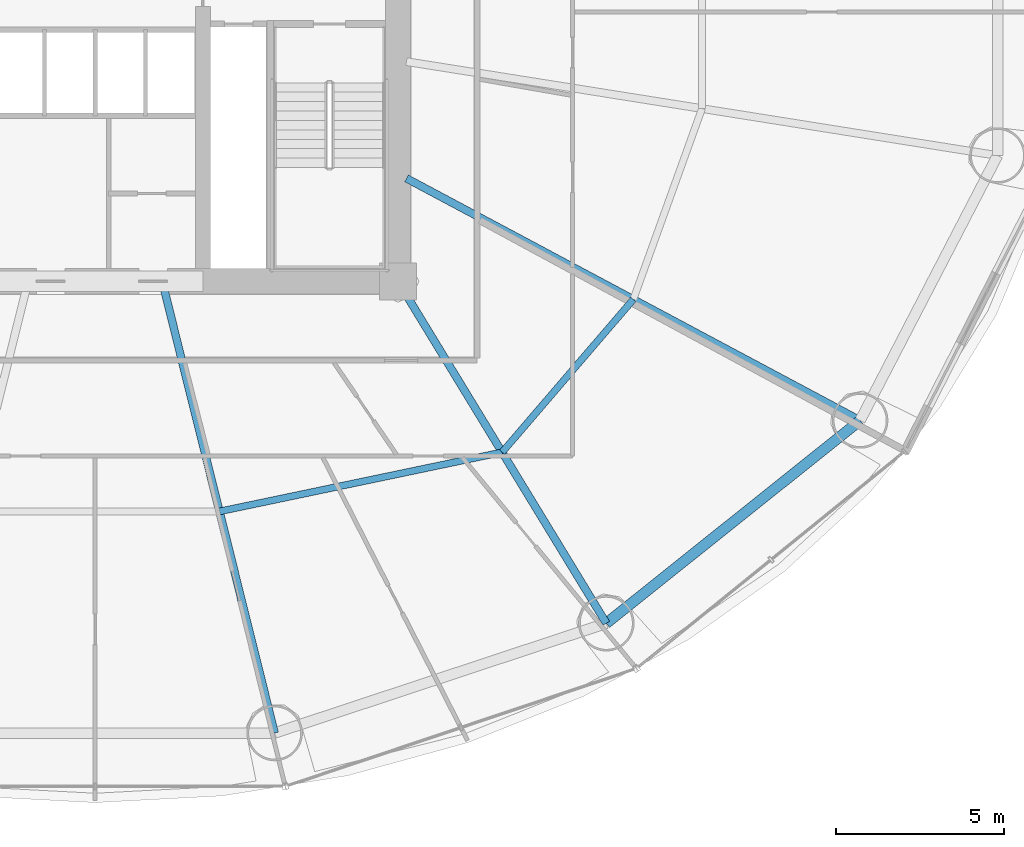
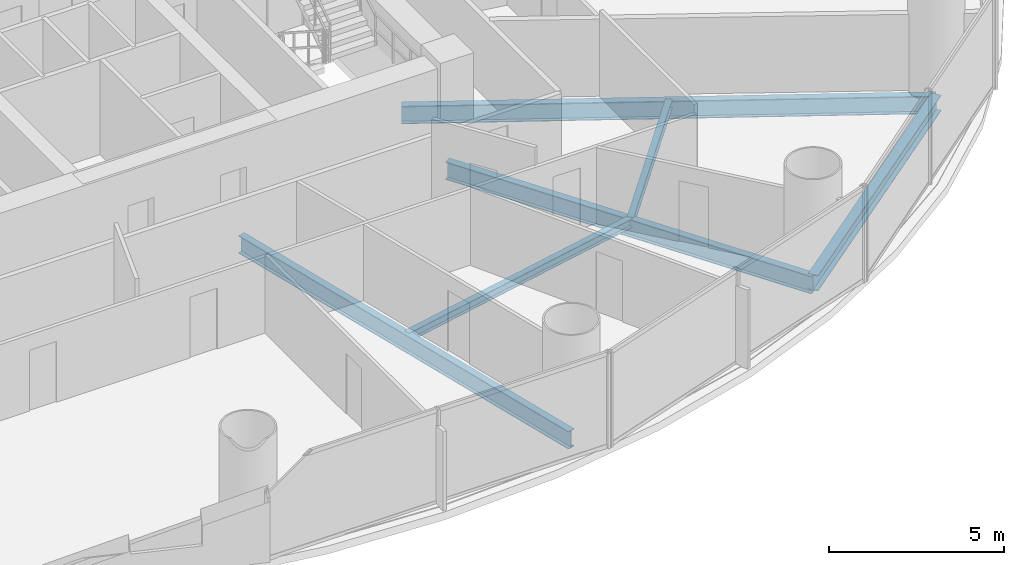
# One storey, part 11 of 29: 6 beams.
"""IFC4 building model written with IfcOpenShell, lengths in metres."""

from ifc_helpers import new_model, si_unit, direction, frame, origin, origin_2d, place, context, subcontext, project, spatial, i_section, extrude, material, material_profile, profile_set, type_object, element, save


model = new_model("IFC4")

# Units and contexts
model_context = context("Model", 3, precision=1e-05, world=origin(), true_north=direction((-0.2419218956, 0.970295726276)))
body_context = subcontext(model_context, "Body", "Model", "MODEL_VIEW")
ifc_project = project(units=[si_unit("LENGTHUNIT", "METRE"), si_unit("AREAUNIT", "SQUARE_METRE"), si_unit("VOLUMEUNIT", "CUBIC_METRE"), si_unit("PLANEANGLEUNIT", "RADIAN"), si_unit("MASSUNIT", "GRAM", prefix="KILO")], contexts=[model_context])

# Site, building, storey
site_placement = place(None, origin())
site = spatial("IfcSite", under=ifc_project, at=site_placement, CompositionType="ELEMENT")
building_placement = place(site_placement, origin())
building = spatial("IfcBuilding", under=site, at=building_placement, Name="Cobrevalo Terracotta Tower", CompositionType="ELEMENT")
storey_placement = place(building_placement, frame((0.0, 0.0, 45.60009765625)))
storey = spatial("IfcBuildingStorey", under=building, at=storey_placement, Name="L11", CompositionType="ELEMENT", Elevation=45.60009765625)

# Beams
ifc_material = material(Name="Steel S355", Category="steel")
ifc_material_profile_1 = material_profile(ifc_material, i_section(OverallWidth=0.22998046875, OverallDepth=0.616943359375, WebThickness=0.01318359375, FlangeThickness=0.022216796875, at=origin_2d()), Name="W 610x140")
ifc_profile_set_1 = profile_set([ifc_material_profile_1], Name="Steel S355")
beam_type_1 = type_object("IfcBeamType", Name="Structural Beam W 610x140 (Steel S355)", PredefinedType="BEAM", material=ifc_profile_set_1)
beam_1_placement = place(storey_placement, frame((43.335693359375, 5.369873046875, -0.588623046875), z_axis=(-0.241600470374, 0.970375810042, 0.0), x_axis=(-0.970375810042, -0.241600470374, 0.0)))
element("IfcBeam", 1, at=beam_1_placement, inside=storey, type_object=beam_type_1, Name="L11 radial floor girder 13", PredefinedType="BEAM", context=body_context, shape_type="SweptSolid", body=[
    extrude(i_section(OverallWidth=0.22998046875, OverallDepth=0.616943359375, WebThickness=0.01318359375, FlangeThickness=0.022216796875, at=origin_2d()), origin(), (0.0, 0.0, 1.0), 13.5771484375),
])
beam_2_placement = place(storey_placement, frame((53.19482421875, 8.63232421875, -0.588623046875), z_axis=(-0.520300780853, 0.853983077961, 0.0), x_axis=(-0.853983077961, -0.520300780853, 0.0)))
element("IfcBeam", 2, at=beam_2_placement, inside=storey, type_object=beam_type_1, Name="L11 radial floor girder 14", PredefinedType="BEAM", context=body_context, shape_type="SweptSolid", body=[
    extrude(i_section(OverallWidth=0.22998046875, OverallDepth=0.616943359375, WebThickness=0.01318359375, FlangeThickness=0.022216796875, at=origin_2d()), origin(), (0.0, 0.0, 1.0), 11.90625),
])
beam_3_placement = place(storey_placement, frame((60.74072265625, 14.660888671875, -0.588623046875), z_axis=(-0.88218223571, 0.470908168329, 0.0), x_axis=(-0.470908168329, -0.88218223571, 0.0)))
element("IfcBeam", 3, at=beam_3_placement, inside=storey, type_object=beam_type_1, Name="L11 radial floor girder 15", PredefinedType="BEAM", context=body_context, shape_type="SweptSolid", body=[
    extrude(i_section(OverallWidth=0.22998046875, OverallDepth=0.616943359375, WebThickness=0.01318359375, FlangeThickness=0.022216796875, at=origin_2d()), origin(), (0.0, 0.0, 1.0), 15.286865234375),
])
ifc_material_profile_2 = material_profile(ifc_material, i_section(OverallWidth=0.2041015625, OverallDepth=0.305908203125, WebThickness=0.008544921875, FlangeThickness=0.0146484375, at=origin_2d()), Name="W 310x67")
ifc_profile_set_2 = profile_set([ifc_material_profile_2], Name="Steel S355")
beam_type_2 = type_object("IfcBeamType", Name="Structural Joist W 310x67 (Steel S355)", PredefinedType="JOIST", material=ifc_profile_set_2)
beam_4_placement = place(storey_placement, frame((41.695556640625, 11.95751953125, -0.43310546875), z_axis=(0.978784523904, 0.204892302848, 0.0), x_axis=(-0.204892302848, 0.978784523904, 0.0)))
element("IfcBeam", 4, at=beam_4_placement, inside=storey, type_object=beam_type_2, Name="L11 circumferential secondary floor joist 13", PredefinedType="JOIST", context=body_context, shape_type="SweptSolid", body=[
    extrude(i_section(OverallWidth=0.2041015625, OverallDepth=0.305908203125, WebThickness=0.008544921875, FlangeThickness=0.0146484375, at=origin_2d()), origin(), (0.0, 0.0, 1.0), 8.583984375),
])
beam_5_placement = place(storey_placement, frame((50.097412109375, 13.71630859375, -0.43310546875), z_axis=(0.651328404454, 0.758795960421, 0.0), x_axis=(-0.758795960421, 0.651328404454, 0.0)))
element("IfcBeam", 5, at=beam_5_placement, inside=storey, type_object=beam_type_2, Name="L11 circumferential secondary floor joist 14", PredefinedType="JOIST", context=body_context, shape_type="SweptSolid", body=[
    extrude(i_section(OverallWidth=0.2041015625, OverallDepth=0.305908203125, WebThickness=0.008544921875, FlangeThickness=0.0146484375, at=origin_2d()), origin(), (0.0, 0.0, 1.0), 5.98828125),
])
ifc_material_profile_3 = material_profile(ifc_material, i_section(OverallWidth=0.31201171875, OverallDepth=0.54296875, WebThickness=0.0126953125, FlangeThickness=0.020263671875, at=origin_2d()), Name="W 530x150")
ifc_profile_set_3 = profile_set([ifc_material_profile_3], Name="Steel S355")
beam_type_3 = type_object("IfcBeamType", Name="Structural Spandrel W 530x150 (Steel S355)", PredefinedType="SPANDREL", material=ifc_profile_set_3)
beam_6_placement = place(storey_placement, frame((53.19482421875, 8.63232421875, -0.551513671875), z_axis=(0.781280479891, 0.62418011162, 0.0), x_axis=(-0.62418011162, 0.781280479891, 0.0)))
element("IfcBeam", 6, at=beam_6_placement, inside=storey, type_object=beam_type_3, Name="L11 perimeter ring spandrel 14", PredefinedType="SPANDREL", context=body_context, shape_type="SweptSolid", body=[
    extrude(i_section(OverallWidth=0.31201171875, OverallDepth=0.54296875, WebThickness=0.0126953125, FlangeThickness=0.020263671875, at=origin_2d()), origin(), (0.0, 0.0, 1.0), 9.658447265625),
])

save(model, "model.ifc")
